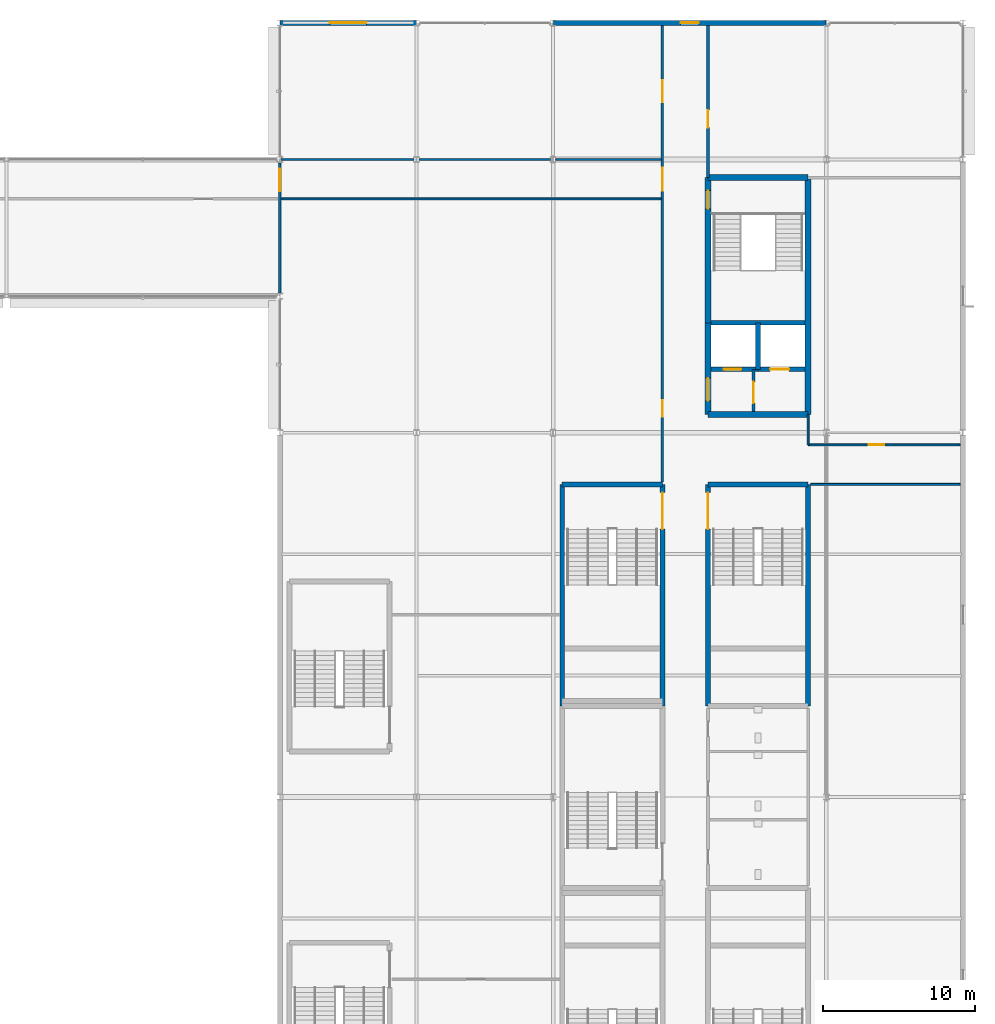
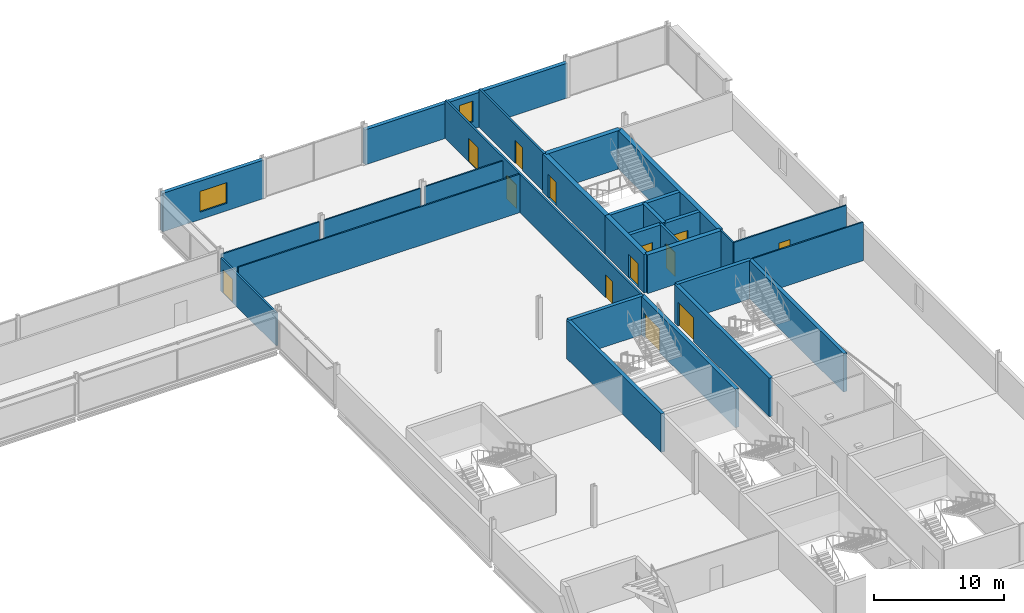
# One storey, part 66 of 98: 28 walls, 13 doors, 2 windows, 15 openings.
"""IFC4 building model written with IfcOpenShell, lengths in metres."""

import ifcopenshell
import ifcopenshell.guid

model = None  # the IFC model being written
_history = None  # IfcOwnerHistory: only IFC2X3 demands one
_inside = {}  # id of a spatial element -> (the spatial element, [elements in it])
_under = {}  # id of a project, library or spatial element -> (it, [spatial elements below it])
_declared = {}  # id of a project -> (the project, [libraries it declares])
_typed = {}  # id of a type object -> (the type object, [elements of that type])
_made_of = {}  # id of a material, layer set ... -> (it, [elements and type objects made of it])


def new_model(schema):
    """Start an empty IFC model of exactly this schema.

    Asked for "IFC4X3", IfcOpenShell would pick the latest addendum, in which some entities
    have other attributes; the version numbers below select the first issue.
    IFC2X3 requires an IfcOwnerHistory on every rooted entity: one is made here for all.
    """
    global model, _history
    if schema == "IFC4X3":
        model = ifcopenshell.file(schema_version=(4, 3, 0, 0))
    else:
        model = ifcopenshell.file(schema=schema)
    _inside.clear()
    _under.clear()
    _declared.clear()
    _typed.clear()
    _made_of.clear()
    _history = None
    if model.schema == "IFC2X3":
        org = make("IfcOrganization", Name="unknown")
        user = make(
            "IfcPersonAndOrganization",
            ThePerson=make("IfcPerson", FamilyName="unknown"),
            TheOrganization=org,
        )
        app = make(
            "IfcApplication",
            ApplicationDeveloper=org,
            Version="unknown",
            ApplicationFullName="unknown",
            ApplicationIdentifier="unknown",
        )
        _history = make(
            "IfcOwnerHistory",
            OwningUser=user,
            OwningApplication=app,
            ChangeAction="ADDED",
            CreationDate=0,
        )
    return model


def make(cls, **values):
    """One entity of the class cls with the attributes given. An attribute that is None is left unset."""
    return model.create_entity(
        cls, **{name: value for name, value in values.items() if value is not None}
    )


def rooted(cls, **values):
    """An entity with a GlobalId (a new one), such as an element, a storey or a relation."""
    return make(cls, GlobalId=ifcopenshell.guid.new(), OwnerHistory=_history, **values)


def si_unit(unit_type, name, prefix=None):
    """IfcSIUnit, for example si_unit("LENGTHUNIT", "METRE", prefix="MILLI")."""
    return make("IfcSIUnit", UnitType=unit_type, Prefix=prefix, Name=name)


def assignment(units):
    """IfcUnitAssignment: the units of a project."""
    return None if units is None else make("IfcUnitAssignment", Units=units)


def point(xyz):
    """IfcCartesianPoint."""
    return None if xyz is None else make("IfcCartesianPoint", Coordinates=xyz)


def direction(xyz):
    """IfcDirection."""
    return None if xyz is None else make("IfcDirection", DirectionRatios=xyz)


def frame(location, z_axis=None, x_axis=None):
    """IfcAxis2Placement3D, a coordinate frame: its origin and axes. An axis left out is left unset."""
    return make(
        "IfcAxis2Placement3D",
        Location=point(location),
        Axis=direction(z_axis),
        RefDirection=direction(x_axis),
    )


def frame_2d(location, x_axis=None):
    """IfcAxis2Placement2D, a coordinate frame in the plane: its origin and x axis."""
    return make(
        "IfcAxis2Placement2D", Location=point(location), RefDirection=direction(x_axis)
    )


def origin():
    """The frame at (0, 0, 0) with its axes left unset."""
    return frame((0.0, 0.0, 0.0))


def place(relative_to, where):
    """IfcLocalPlacement: puts the frame where relative to a parent placement (None: the world)."""
    return make(
        "IfcLocalPlacement", PlacementRelTo=relative_to, RelativePlacement=where
    )


def context(
    kind, dimensions, precision=None, world=None, true_north=None, identifier=None
):
    """IfcGeometricRepresentationContext, for example the 3D "Model" context."""
    return make(
        "IfcGeometricRepresentationContext",
        ContextIdentifier=identifier,
        ContextType=kind,
        CoordinateSpaceDimension=dimensions,
        Precision=precision,
        WorldCoordinateSystem=world,
        TrueNorth=true_north,
    )


def subcontext(parent, identifier, kind, view, scale=None):
    """IfcGeometricRepresentationSubContext, for example "Body" below "Model"."""
    return make(
        "IfcGeometricRepresentationSubContext",
        ContextIdentifier=identifier,
        ContextType=kind,
        ParentContext=parent,
        TargetScale=scale,
        TargetView=view,
    )


def project(units=None, contexts=None):
    """IfcProject with its units and contexts."""
    return rooted(
        "IfcProject",
        Name="project",
        RepresentationContexts=contexts,
        UnitsInContext=assignment(units),
    )


def spatial(cls, under=None, at=None, **own):
    """A site, building, storey or space (cls), placed at a placement, below another one or the project."""
    s = rooted(cls, ObjectPlacement=at, **own)
    if under is not None:
        _under.setdefault(under.id(), (under, []))[1].append(s)
    return s


def profile(cls, at=None, kind="AREA", **sizes):
    """A parametric profile (cls). Its sizes go by their IFC names, for example OverallWidth=200.0."""
    return make(cls, ProfileType=kind, Position=at, **sizes)


def rectangle(**sizes):
    """IfcRectangleProfileDef."""
    return profile("IfcRectangleProfileDef", **sizes)


def extrude(swept, where, along, depth):
    """IfcExtrudedAreaSolid: the profile swept, set in the frame where, extruded along a direction by depth."""
    return make(
        "IfcExtrudedAreaSolid",
        SweptArea=swept,
        Position=where,
        ExtrudedDirection=direction(along),
        Depth=depth,
    )


def shape(context_of_items, identifier, shape_type, items):
    """IfcShapeRepresentation: the items that make up one representation, for example the "Body"."""
    return make(
        "IfcShapeRepresentation",
        ContextOfItems=context_of_items,
        RepresentationIdentifier=identifier,
        RepresentationType=shape_type,
        Items=items,
    )


def material(Name=None, Category=None):
    """IfcMaterial."""
    return make("IfcMaterial", Name=Name, Category=Category)


def layer(
    of_material, thickness, ventilated=None, Name=None, Category=None, Priority=None
):
    """IfcMaterialLayer: one layer of a wall or slab, of a material (None: an air gap)."""
    return make(
        "IfcMaterialLayer",
        Material=of_material,
        LayerThickness=thickness,
        IsVentilated=ventilated,
        Name=Name,
        Category=Category,
        Priority=Priority,
    )


def layer_set(layers, Name=None):
    """IfcMaterialLayerSet."""
    return make("IfcMaterialLayerSet", MaterialLayers=layers, LayerSetName=Name)


def made_of(thing, what):
    """Note that an element or type object is made of a material, layer set ...; save() writes the relation."""
    if what is not None:
        _made_of.setdefault(what.id(), (what, []))[1].append(thing)
    return thing


def type_object(cls, material=None, **own):
    """A type object (cls), such as IfcWallType, which elements share."""
    return made_of(rooted(cls, **own), material)


def element(
    cls,
    number,
    at=None,
    inside=None,
    cuts=None,
    type_object=None,
    material=None,
    context=None,
    identifier="Body",
    shape_type=None,
    held_by="IfcProductDefinitionShape",
    body=None,
    shapes=None,
    **own,
):
    """One element of the class cls, such as IfcWall. Its Tag is "e" and its number.

    at: its placement. inside: the storey or other place that contains it. cuts: it is an
    opening in that element (IfcRelVoidsElement). A single representation is given by context,
    identifier, shape_type and body (its items); several are given by shapes. held_by: the class
    of the entity that holds the representations. save() writes the other relations.
    """
    e = rooted(cls, Tag="e%d" % number, ObjectPlacement=at, **own)
    if body is not None:
        shapes = [shape(context, identifier, shape_type, body)]
    if shapes is not None:
        e.Representation = make(held_by, Representations=shapes)
    if inside is not None:
        _inside.setdefault(inside.id(), (inside, []))[1].append(e)
    if cuts is not None:
        rooted(
            "IfcRelVoidsElement", RelatingBuildingElement=cuts, RelatedOpeningElement=e
        )
    if type_object is not None:
        _typed.setdefault(type_object.id(), (type_object, []))[1].append(e)
    return made_of(e, material)


def fill(opening, filler):
    """IfcRelFillsElement: the door or window that sits in an opening."""
    return rooted(
        "IfcRelFillsElement",
        RelatingOpeningElement=opening,
        RelatedBuildingElement=filler,
    )


def aggregate(whole, parts):
    """IfcRelAggregates: a whole, such as a stair, and the parts it consists of."""
    return rooted("IfcRelAggregates", RelatingObject=whole, RelatedObjects=parts)


def save(model, path):
    """Write the relations noted so far, then the file.

    IfcRelAggregates (storeys below a building ...), IfcRelContainedInSpatialStructure (elements
    in a storey), IfcRelDefinesByType, IfcRelAssociatesMaterial and IfcRelDeclares: one each for
    every whole, place, type object, material and project.
    """
    for whole, parts in _under.values():
        aggregate(whole, parts)
    for where, things in _inside.values():
        rooted(
            "IfcRelContainedInSpatialStructure",
            RelatedElements=things,
            RelatingStructure=where,
        )
    for kind, things in _typed.values():
        rooted("IfcRelDefinesByType", RelatedObjects=things, RelatingType=kind)
    for what, things in _made_of.values():
        rooted("IfcRelAssociatesMaterial", RelatedObjects=things, RelatingMaterial=what)
    for by, libraries in _declared.values():
        rooted("IfcRelDeclares", RelatingContext=by, RelatedDefinitions=libraries)
    model.write(path)


model = new_model("IFC4")

# Units and contexts
model_context = context("Model", 3, precision=1e-05, world=origin(), true_north=direction((0.0, 1.0)))
body_context = subcontext(model_context, "Body", "Model", "MODEL_VIEW")
ifc_project = project(units=[si_unit("LENGTHUNIT", "METRE"), si_unit("AREAUNIT", "SQUARE_METRE"), si_unit("VOLUMEUNIT", "CUBIC_METRE"), si_unit("PLANEANGLEUNIT", "RADIAN"), si_unit("MASSUNIT", "GRAM", prefix="KILO")], contexts=[model_context])

# Site, building, storey
site_placement = place(None, origin())
site = spatial("IfcSite", under=ifc_project, at=site_placement, CompositionType="ELEMENT")
building_placement = place(site_placement, origin())
building = spatial("IfcBuilding", under=site, at=building_placement, Name="Kisiwana Market Hall", CompositionType="ELEMENT")
storey_placement = place(building_placement, frame((0.0, 0.0, 29.39990234375)))
storey = spatial("IfcBuildingStorey", under=building, at=storey_placement, Name="L06", CompositionType="ELEMENT", Elevation=29.39990234375)

# Wall, opening, door
ifc_material_1 = material(Name="Masonry blockwork", Category="masonry")
ifc_layer_1 = layer(ifc_material_1, 0.199951171875, Name="Plastered fire compartment block wall")
ifc_layer_set_1 = layer_set([ifc_layer_1], Name="WL-COMP-200")
wall_type_1 = type_object("IfcWallType", Name="WL-COMP-200", PredefinedType="PARTITIONING", material=ifc_layer_set_1)
wall_1_placement = place(storey_placement, frame((184.199951171875, 85.39990234375, 0.0), z_axis=(0.0, 0.0, 1.0), x_axis=(0.0, 1.0, 0.0)))
wall_1 = element("IfcWall", 1, at=wall_1_placement, inside=storey, type_object=wall_type_1, Name="Core E1 firefighting lobby wall W-2017", PredefinedType="PARTITIONING", context=body_context, shape_type="SweptSolid", body=[
    extrude(rectangle(XDim=2.780029296875, YDim=0.199951171875, at=frame_2d((1.39013671875, 0.0))), origin(), (0.0, 0.0, 1.0), 3.6201171875),
])
opening_1_placement = place(wall_1_placement, frame((0.550048828125, 0.0, 0.0)))
opening_1 = element("IfcOpeningElement", 2, at=opening_1_placement, cuts=wall_1, Name="Opening DR-L06-012", PredefinedType="OPENING", context=body_context, shape_type="SweptSolid", body=[
    extrude(rectangle(XDim=1.39990234375, YDim=2.25, at=frame_2d((0.699951171875, 1.125))), frame((0.0, 0.11181640625, 0.0), z_axis=(0.0, -1.0, 0.0), x_axis=(1.0, 0.0, 0.0)), (0.0, 0.0, 1.0), 0.223876953125),
])
ifc_material_2 = material(Name="Steel S275", Category="steel")
door_type_1 = type_object("IfcDoorType", Name="DR-FFLOB-FD120-1400", OperationType="DOUBLE_DOOR_SINGLE_SWING", PredefinedType="DOOR", material=ifc_material_2)
door_1_placement = place(opening_1_placement, origin())
door_1 = element("IfcDoor", 3, at=door_1_placement, inside=storey, type_object=door_type_1, Name="Firefighting Lift Lobby E1 Door (L06)", OperationType="DOUBLE_DOOR_SINGLE_SWING", OverallHeight=2.25, OverallWidth=1.39990234375, PredefinedType="DOOR", context=body_context, shape_type="SweptSolid", body=[
    extrude(rectangle(XDim=1.39990234375, YDim=2.25, at=frame_2d((0.699951171875, 1.125))), frame((0.0, 0.02490234375, 0.0), z_axis=(0.0, -1.0, 0.0), x_axis=(1.0, 0.0, 0.0)), (0.0, 0.0, 1.0), 0.050048828125),
])
fill(opening_1, door_1)

# Walls
ifc_material_3 = material(Name="Concrete C40/50", Category="concrete")
ifc_layer_2 = layer(ifc_material_3, 0.320068359375, Name="Reinforced concrete shaft wall")
ifc_layer_set_2 = layer_set([ifc_layer_2], Name="WL-CORE-320")
wall_type_2 = type_object("IfcWallType", Name="WL-CORE-320", PredefinedType="SHEAR", material=ifc_layer_set_2)
wall_2_placement = place(storey_placement, frame((181.39990234375, 91.239990234375, 0.0), z_axis=(0.0, 0.0, 1.0), x_axis=(1.0, 0.0, 0.0)))
element("IfcWall", 4, at=wall_2_placement, inside=storey, type_object=wall_type_2, Name="Core E1 shaft back shear wall W-1922", PredefinedType="SHEAR", context=body_context, shape_type="SweptSolid", body=[
    extrude(rectangle(XDim=6.2001953125, YDim=0.320068359375, at=frame_2d((3.10009765625, 0.0))), origin(), (0.0, 0.0, 1.0), 3.6201171875),
])
wall_3_placement = place(storey_placement, frame((184.5, 88.179931640625, 0.0), z_axis=(0.0, 0.0, 1.0), x_axis=(0.0, 1.0, 0.0)))
element("IfcWall", 5, at=wall_3_placement, inside=storey, type_object=wall_type_2, Name="Core E1 inter-shaft shear wall W-1923", PredefinedType="SHEAR", context=body_context, shape_type="SweptSolid", body=[
    extrude(rectangle(XDim=3.06005859375, YDim=0.320068359375, at=frame_2d((1.530029296875, 0.0))), origin(), (0.0, 0.0, 1.0), 3.6201171875),
])

# Wall, opening, door
wall_4_placement = place(storey_placement, frame((181.39990234375, 88.179931640625, 0.0), z_axis=(0.0, 0.0, 1.0), x_axis=(1.0, 0.0, 0.0)))
wall_4 = element("IfcWall", 6, at=wall_4_placement, inside=storey, type_object=wall_type_2, Name="Core E1 west lift front wall W-1924", PredefinedType="SHEAR", context=body_context, shape_type="SweptSolid", body=[
    extrude(rectangle(XDim=3.10009765625, YDim=0.320068359375, at=frame_2d((1.550048828125, 0.0))), origin(), (0.0, 0.0, 1.0), 3.6201171875),
])
opening_2_placement = place(wall_4_placement, frame((0.85009765625, 0.0, 0.0)))
opening_2 = element("IfcOpeningElement", 7, at=opening_2_placement, cuts=wall_4, Name="Opening LD-L06-007", PredefinedType="OPENING", context=body_context, shape_type="SweptSolid", body=[
    extrude(rectangle(XDim=1.14990234375, YDim=2.199951171875, at=frame_2d((0.574951171875, 1.10009765625))), frame((0.0, 0.171875, 0.0), z_axis=(0.0, -1.0, 0.0), x_axis=(1.0, 0.0, 0.0)), (0.0, 0.0, 1.0), 0.343994140625),
])
ifc_material_4 = material(Name="Steel S275", Category="steel")
door_type_2 = type_object("IfcDoorType", Name="DR-LIFT-PAX-1150", OperationType="DOUBLE_DOOR_SLIDING", PredefinedType="DOOR", material=ifc_material_4)
door_2_placement = place(opening_2_placement, origin())
door_2 = element("IfcDoor", 8, at=door_2_placement, inside=storey, type_object=door_type_2, Name="Lift Landing Door LP-04 (L06)", OperationType="DOUBLE_DOOR_SLIDING", OverallHeight=2.199951171875, OverallWidth=1.14990234375, PredefinedType="DOOR", context=body_context, shape_type="SweptSolid", body=[
    extrude(rectangle(XDim=1.14990234375, YDim=2.199951171875, at=frame_2d((0.574951171875, 1.10009765625))), frame((0.0, 0.02490234375, 0.0), z_axis=(0.0, -1.0, 0.0), x_axis=(1.0, 0.0, 0.0)), (0.0, 0.0, 1.0), 0.050048828125),
])
fill(opening_2, door_2)

wall_5_placement = place(storey_placement, frame((184.5, 88.179931640625, 0.0), z_axis=(0.0, 0.0, 1.0), x_axis=(1.0, 0.0, 0.0)))
wall_5 = element("IfcWall", 9, at=wall_5_placement, inside=storey, type_object=wall_type_2, Name="Core E1 east lift front wall W-1925", PredefinedType="SHEAR", context=body_context, shape_type="SweptSolid", body=[
    extrude(rectangle(XDim=3.10009765625, YDim=0.320068359375, at=frame_2d((1.550048828125, 0.0))), origin(), (0.0, 0.0, 1.0), 3.6201171875),
])
opening_3_placement = place(wall_5_placement, frame((0.800048828125, 0.0, 0.0)))
opening_3 = element("IfcOpeningElement", 10, at=opening_3_placement, cuts=wall_5, Name="Opening LD-L06-008", PredefinedType="OPENING", context=body_context, shape_type="SweptSolid", body=[
    extrude(rectangle(XDim=1.25, YDim=2.25, at=frame_2d((0.625, 1.125))), frame((0.0, 0.171875, 0.0), z_axis=(0.0, -1.0, 0.0), x_axis=(1.0, 0.0, 0.0)), (0.0, 0.0, 1.0), 0.343994140625),
])
ifc_material_5 = material(Name="Steel S275", Category="steel")
door_type_3 = type_object("IfcDoorType", Name="DR-LIFT-FFL-1250", OperationType="DOUBLE_DOOR_SLIDING", PredefinedType="DOOR", material=ifc_material_5)
door_3_placement = place(opening_3_placement, origin())
door_3 = element("IfcDoor", 11, at=door_3_placement, inside=storey, type_object=door_type_3, Name="Lift Landing Door FFL-04 (L06)", OperationType="DOUBLE_DOOR_SLIDING", OverallHeight=2.25, OverallWidth=1.25, PredefinedType="DOOR", context=body_context, shape_type="SweptSolid", body=[
    extrude(rectangle(XDim=1.25, YDim=2.25, at=frame_2d((0.625, 1.125))), frame((0.0, 0.02490234375, 0.0), z_axis=(0.0, -1.0, 0.0), x_axis=(1.0, 0.0, 0.0)), (0.0, 0.0, 1.0), 0.050048828125),
])
fill(opening_3, door_3)

# Wall
wall_6_placement = place(storey_placement, frame((181.199951171875, 80.60009765625, 0.0), z_axis=(0.0, 0.0, 1.0), x_axis=(1.0, 0.0, 0.0)))
element("IfcWall", 12, at=wall_6_placement, inside=storey, type_object=wall_type_2, Name="Core E4 north shear wall W-1942", PredefinedType="SHEAR", context=body_context, shape_type="SweptSolid", body=[
    extrude(rectangle(XDim=6.60009765625, YDim=0.320068359375, at=frame_2d((3.300048828125, 0.0))), origin(), (0.0, 0.0, 1.0), 3.6201171875),
])

# Wall, opening, door
wall_7_placement = place(storey_placement, frame((181.199951171875, 66.0, 0.0), z_axis=(0.0, 0.0, 1.0), x_axis=(0.0, 1.0, 0.0)))
wall_7 = element("IfcWall", 13, at=wall_7_placement, inside=storey, type_object=wall_type_2, Name="Core E4 corridor shear wall W-1943", PredefinedType="SHEAR", context=body_context, shape_type="SweptSolid", body=[
    extrude(rectangle(XDim=14.60009765625, YDim=0.320068359375, at=frame_2d((7.300048828125, 0.0))), origin(), (0.0, 0.0, 1.0), 3.6201171875),
])
opening_4_placement = place(wall_7_placement, frame((11.64990234375, 0.0, 0.0)))
opening_4 = element("IfcOpeningElement", 14, at=opening_4_placement, cuts=wall_7, Name="Opening DR-L06-016", PredefinedType="OPENING", context=body_context, shape_type="SweptSolid", body=[
    extrude(rectangle(XDim=2.39990234375, YDim=2.25, at=frame_2d((1.199951171875, 1.125))), frame((0.0, 0.171875, 0.0), z_axis=(0.0, -1.0, 0.0), x_axis=(1.0, 0.0, 0.0)), (0.0, 0.0, 1.0), 0.343994140625),
])
ifc_material_6 = material(Name="Steel S275", Category="steel")
door_type_4 = type_object("IfcDoorType", Name="DR-STAIR-FD120-2400", OperationType="DOUBLE_DOOR_SINGLE_SWING", PredefinedType="DOOR", material=ifc_material_6)
door_4_placement = place(opening_4_placement, frame((2.39990234375, 0.0, 0.0), z_axis=(0.0, 0.0, 1.0), x_axis=(-1.0, 0.0, 0.0)))
door_4 = element("IfcDoor", 15, at=door_4_placement, inside=storey, type_object=door_type_4, Name="Escape Stair E4 Fire Door (L06)", OperationType="DOUBLE_DOOR_SINGLE_SWING", OverallHeight=2.25, OverallWidth=2.39990234375, PredefinedType="DOOR", context=body_context, shape_type="SweptSolid", body=[
    extrude(rectangle(XDim=2.39990234375, YDim=2.25, at=frame_2d((1.199951171875, 1.125))), frame((0.0, 0.02490234375, 0.0), z_axis=(0.0, -1.0, 0.0), x_axis=(1.0, 0.0, 0.0)), (0.0, 0.0, 1.0), 0.050048828125),
])
fill(opening_4, door_4)

# Walls
wall_8_placement = place(storey_placement, frame((187.800048828125, 66.0, 0.0), z_axis=(0.0, 0.0, 1.0), x_axis=(0.0, 1.0, 0.0)))
element("IfcWall", 16, at=wall_8_placement, inside=storey, type_object=wall_type_2, Name="Core E4 outer shear wall W-1944", PredefinedType="SHEAR", context=body_context, shape_type="SweptSolid", body=[
    extrude(rectangle(XDim=14.60009765625, YDim=0.320068359375, at=frame_2d((7.300048828125, 0.0))), origin(), (0.0, 0.0, 1.0), 3.6201171875),
])
wall_9_placement = place(storey_placement, frame((171.60009765625, 80.60009765625, 0.0), z_axis=(0.0, 0.0, 1.0), x_axis=(1.0, 0.0, 0.0)))
element("IfcWall", 17, at=wall_9_placement, inside=storey, type_object=wall_type_2, Name="Core E8 north shear wall W-1962", PredefinedType="SHEAR", context=body_context, shape_type="SweptSolid", body=[
    extrude(rectangle(XDim=6.599853515625, YDim=0.320068359375, at=frame_2d((3.2998046875, 0.0))), origin(), (0.0, 0.0, 1.0), 3.6201171875),
])
wall_10_placement = place(storey_placement, frame((171.60009765625, 66.0, 0.0), z_axis=(0.0, 0.0, 1.0), x_axis=(0.0, 1.0, 0.0)))
element("IfcWall", 18, at=wall_10_placement, inside=storey, type_object=wall_type_2, Name="Core E8 outer shear wall W-1963", PredefinedType="SHEAR", context=body_context, shape_type="SweptSolid", body=[
    extrude(rectangle(XDim=14.60009765625, YDim=0.320068359375, at=frame_2d((7.300048828125, 0.0))), origin(), (0.0, 0.0, 1.0), 3.6201171875),
])

# Wall, opening, door
wall_11_placement = place(storey_placement, frame((178.199951171875, 66.0, 0.0), z_axis=(0.0, 0.0, 1.0), x_axis=(0.0, 1.0, 0.0)))
wall_11 = element("IfcWall", 19, at=wall_11_placement, inside=storey, type_object=wall_type_2, Name="Core E8 corridor shear wall W-1964", PredefinedType="SHEAR", context=body_context, shape_type="SweptSolid", body=[
    extrude(rectangle(XDim=14.60009765625, YDim=0.320068359375, at=frame_2d((7.300048828125, 0.0))), origin(), (0.0, 0.0, 1.0), 3.6201171875),
])
opening_5_placement = place(wall_11_placement, frame((11.64990234375, 0.0, 0.0)))
opening_5 = element("IfcOpeningElement", 20, at=opening_5_placement, cuts=wall_11, Name="Opening DR-L06-020", PredefinedType="OPENING", context=body_context, shape_type="SweptSolid", body=[
    extrude(rectangle(XDim=2.39990234375, YDim=2.25, at=frame_2d((1.199951171875, 1.125))), frame((0.0, 0.171875, 0.0), z_axis=(0.0, -1.0, 0.0), x_axis=(1.0, 0.0, 0.0)), (0.0, 0.0, 1.0), 0.343994140625),
])
door_5_placement = place(opening_5_placement, origin())
door_5 = element("IfcDoor", 21, at=door_5_placement, inside=storey, type_object=door_type_4, Name="Escape Stair E8 Fire Door (L06)", OperationType="DOUBLE_DOOR_SINGLE_SWING", OverallHeight=2.25, OverallWidth=2.39990234375, PredefinedType="DOOR", context=body_context, shape_type="SweptSolid", body=[
    extrude(rectangle(XDim=2.39990234375, YDim=2.25, at=frame_2d((1.199951171875, 1.125))), frame((0.0, 0.02490234375, 0.0), z_axis=(0.0, -1.0, 0.0), x_axis=(1.0, 0.0, 0.0)), (0.0, 0.0, 1.0), 0.050048828125),
])
fill(opening_5, door_5)

# Walls
ifc_material_7 = material(Name="Concrete C40/50", Category="concrete")
ifc_layer_3 = layer(ifc_material_7, 0.39990234375, Name="Reinforced concrete core wall")
ifc_layer_set_3 = layer_set([ifc_layer_3], Name="WL-CORE-400")
wall_type_3 = type_object("IfcWallType", Name="WL-CORE-400", PredefinedType="SHEAR", material=ifc_layer_set_3)
for number, where, z_axis, x_axis, name in (
    (22, (181.199951171875, 85.199951171875, 0.0), (0.0, 0.0, 1.0), (1.0, 0.0, 0.0), "Core E1 south shear wall W-1917"),
    (23, (181.199951171875, 100.800048828125, 0.0), (0.0, 0.0, 1.0), (1.0, 0.0, 0.0), "Core E1 north shear wall W-1918"),
):
    element("IfcWall", number, at=place(storey_placement, frame(where, z_axis=z_axis, x_axis=x_axis)), inside=storey, type_object=wall_type_3, Name=name, PredefinedType="SHEAR", context=body_context, shape_type="SweptSolid", body=[
        extrude(rectangle(XDim=6.60009765625, YDim=0.39990234375, at=frame_2d((3.300048828125, 0.0))), origin(), (0.0, 0.0, 1.0), 3.6201171875),
    ])
wall_12_placement = place(storey_placement, frame((187.800048828125, 85.199951171875, 0.0), z_axis=(0.0, 0.0, 1.0), x_axis=(0.0, 1.0, 0.0)))
element("IfcWall", 24, at=wall_12_placement, inside=storey, type_object=wall_type_3, Name="Core E1 outer shear wall W-1919", PredefinedType="SHEAR", context=body_context, shape_type="SweptSolid", body=[
    extrude(rectangle(XDim=15.60009765625, YDim=0.39990234375, at=frame_2d((7.800048828125, 0.0))), origin(), (0.0, 0.0, 1.0), 3.6201171875),
])

# Wall, opening, door
wall_13_placement = place(storey_placement, frame((181.199951171875, 85.199951171875, 0.0), z_axis=(0.0, 0.0, 1.0), x_axis=(0.0, 1.0, 0.0)))
wall_13 = element("IfcWall", 25, at=wall_13_placement, inside=storey, type_object=wall_type_3, Name="Core E1 lobby corridor shear wall W-1920", PredefinedType="SHEAR", context=body_context, shape_type="SweptSolid", body=[
    extrude(rectangle(XDim=6.0400390625, YDim=0.39990234375, at=frame_2d((3.02001953125, 0.0))), origin(), (0.0, 0.0, 1.0), 3.6201171875),
])
opening_6_placement = place(wall_13_placement, frame((0.89990234375, 0.0, 0.0)))
opening_6 = element("IfcOpeningElement", 26, at=opening_6_placement, cuts=wall_13, Name="Opening DR-L06-010", PredefinedType="OPENING", context=body_context, shape_type="SweptSolid", body=[
    extrude(rectangle(XDim=1.5, YDim=2.199951171875, at=frame_2d((0.75, 1.10009765625))), frame((0.0, 0.2119140625, 0.0), z_axis=(0.0, -1.0, 0.0), x_axis=(1.0, 0.0, 0.0)), (0.0, 0.0, 1.0), 0.423828125),
])
ifc_material_8 = material(Name="Steel S275", Category="steel")
door_type_5 = type_object("IfcDoorType", Name="DR-CORR-FD60-1500", OperationType="DOUBLE_DOOR_SINGLE_SWING", PredefinedType="DOOR", material=ifc_material_8)
door_6_placement = place(opening_6_placement, origin())
door_6 = element("IfcDoor", 27, at=door_6_placement, inside=storey, type_object=door_type_5, Name="Passenger Lift Lobby E1 Smoke Door (L06)", OperationType="DOUBLE_DOOR_SINGLE_SWING", OverallHeight=2.199951171875, OverallWidth=1.5, PredefinedType="DOOR", context=body_context, shape_type="SweptSolid", body=[
    extrude(rectangle(XDim=1.5, YDim=2.199951171875, at=frame_2d((0.75, 1.10009765625))), frame((0.0, 0.02490234375, 0.0), z_axis=(0.0, -1.0, 0.0), x_axis=(1.0, 0.0, 0.0)), (0.0, 0.0, 1.0), 0.050048828125),
])
fill(opening_6, door_6)

wall_14_placement = place(storey_placement, frame((181.199951171875, 91.239990234375, 0.0), z_axis=(0.0, 0.0, 1.0), x_axis=(0.0, 1.0, 0.0)))
wall_14 = element("IfcWall", 28, at=wall_14_placement, inside=storey, type_object=wall_type_3, Name="Core E1 stair corridor shear wall W-1921", PredefinedType="SHEAR", context=body_context, shape_type="SweptSolid", body=[
    extrude(rectangle(XDim=9.56005859375, YDim=0.39990234375, at=frame_2d((4.780029296875, 0.0))), origin(), (0.0, 0.0, 1.0), 3.6201171875),
])
opening_7_placement = place(wall_14_placement, frame((7.510009765625, 0.0, 0.0)))
opening_7 = element("IfcOpeningElement", 29, at=opening_7_placement, cuts=wall_14, Name="Opening DR-L06-011", PredefinedType="OPENING", context=body_context, shape_type="SweptSolid", body=[
    extrude(rectangle(XDim=1.199951171875, YDim=2.199951171875, at=frame_2d((0.60009765625, 1.10009765625))), frame((0.0, 0.2119140625, 0.0), z_axis=(0.0, -1.0, 0.0), x_axis=(1.0, 0.0, 0.0)), (0.0, 0.0, 1.0), 0.423828125),
])
ifc_material_9 = material(Name="Steel S275", Category="steel")
door_type_6 = type_object("IfcDoorType", Name="DR-STAIR-FD120-1200", OperationType="NOTDEFINED", PredefinedType="DOOR", material=ifc_material_9)
door_7_placement = place(opening_7_placement, frame((1.199951171875, 0.0, 0.0), z_axis=(0.0, 0.0, 1.0), x_axis=(-1.0, 0.0, 0.0)))
door_7 = element("IfcDoor", 30, at=door_7_placement, inside=storey, type_object=door_type_6, Name="Escape Stair E1 Fire Door (L06)", OperationType="SINGLE_SWING_LEFT", OverallHeight=2.199951171875, OverallWidth=1.199951171875, PredefinedType="DOOR", context=body_context, shape_type="SweptSolid", body=[
    extrude(rectangle(XDim=1.199951171875, YDim=2.199951171875, at=frame_2d((0.60009765625, 1.10009765625))), frame((0.0, 0.02490234375, 0.0), z_axis=(0.0, -1.0, 0.0), x_axis=(1.0, 0.0, 0.0)), (0.0, 0.0, 1.0), 0.050048828125),
])
fill(opening_7, door_7)

ifc_material_10 = material(Name="Masonry blockwork", Category="masonry")
ifc_layer_4 = layer(ifc_material_10, 0.169921875, Name="Protected corridor partition")
ifc_layer_set_4 = layer_set([ifc_layer_4], Name="WL-CORR-170")
wall_type_4 = type_object("IfcWallType", Name="WL-CORR-170", PredefinedType="PARTITIONING", material=ifc_layer_set_4)
wall_15_placement = place(storey_placement, frame((181.199951171875, 100.800048828125, 0.0), z_axis=(0.0, 0.0, 1.0), x_axis=(0.0, 1.0, 0.0)))
wall_15 = element("IfcWall", 31, at=wall_15_placement, inside=storey, type_object=wall_type_4, Name="Interior partition W-2059", PredefinedType="PARTITIONING", context=body_context, shape_type="SweptSolid", body=[
    extrude(rectangle(XDim=10.017333984375, YDim=0.169921875, at=frame_2d((5.0087890625, 0.0))), origin(), (0.0, 0.0, 1.0), 3.6201171875),
])
opening_8_placement = place(wall_15_placement, frame((3.300048828125, 0.0, 0.0)))
opening_8 = element("IfcOpeningElement", 32, at=opening_8_placement, cuts=wall_15, Name="Opening DR-L06-053", PredefinedType="OPENING", context=body_context, shape_type="SweptSolid", body=[
    extrude(rectangle(XDim=1.14990234375, YDim=2.14990234375, at=frame_2d((0.574951171875, 1.074951171875))), frame((0.0, 0.096923828125, 0.0), z_axis=(0.0, -1.0, 0.0), x_axis=(1.0, 0.0, 0.0)), (0.0, 0.0, 1.0), 0.19384765625),
])
ifc_material_11 = material(Name="Aluminium alloy 6063-T6", Category="aluminium")
door_type_7 = type_object("IfcDoorType", Name="DR-MEET-1150", OperationType="NOTDEFINED", PredefinedType="DOOR", material=ifc_material_11)
door_8_placement = place(opening_8_placement, frame((1.14990234375, 0.0, 0.0), z_axis=(0.0, 0.0, 1.0), x_axis=(-1.0, 0.0, 0.0)))
door_8 = element("IfcDoor", 33, at=door_8_placement, inside=storey, type_object=door_type_7, Name="L06 E Corner Office Suite North Door", OperationType="SINGLE_SWING_RIGHT", OverallHeight=2.14990234375, OverallWidth=1.14990234375, PredefinedType="DOOR", context=body_context, shape_type="SweptSolid", body=[
    extrude(rectangle(XDim=1.14990234375, YDim=2.14990234375, at=frame_2d((0.574951171875, 1.074951171875))), frame((0.0, 0.02490234375, 0.0), z_axis=(0.0, -1.0, 0.0), x_axis=(1.0, 0.0, 0.0)), (0.0, 0.0, 1.0), 0.050048828125),
])
fill(opening_8, door_8)

# Wall, openings, doors
wall_16_placement = place(storey_placement, frame((178.199951171875, 80.760009765625, 0.0), z_axis=(0.0, 0.0, 1.0), x_axis=(0.0, 1.0, 0.0)))
wall_16 = element("IfcWall", 34, at=wall_16_placement, inside=storey, type_object=wall_type_4, Name="Interior partition W-2071", PredefinedType="PARTITIONING", context=body_context, shape_type="SweptSolid", body=[
    extrude(rectangle(XDim=30.057373046875, YDim=0.169921875, at=frame_2d((15.02880859375, 0.0))), origin(), (0.0, 0.0, 1.0), 3.6201171875),
])
opening_9_placement = place(wall_16_placement, frame((4.300048828125, 0.0, 0.0)))
opening_9 = element("IfcOpeningElement", 35, at=opening_9_placement, cuts=wall_16, Name="Opening DR-L06-060", PredefinedType="OPENING", context=body_context, shape_type="SweptSolid", body=[
    extrude(rectangle(XDim=1.080078125, YDim=2.14990234375, at=frame_2d((0.5400390625, 1.074951171875))), frame((0.0, 0.096923828125, 0.0), z_axis=(0.0, -1.0, 0.0), x_axis=(1.0, 0.0, 0.0)), (0.0, 0.0, 1.0), 0.19384765625),
])
opening_10_placement = place(wall_16_placement, frame((19.18994140625, 0.0, 0.0)))
opening_10 = element("IfcOpeningElement", 36, at=opening_10_placement, cuts=wall_16, Name="Opening DR-L06-061", PredefinedType="OPENING", context=body_context, shape_type="SweptSolid", body=[
    extrude(rectangle(XDim=1.5, YDim=2.199951171875, at=frame_2d((0.75, 1.10009765625))), frame((0.0, 0.096923828125, 0.0), z_axis=(0.0, -1.0, 0.0), x_axis=(1.0, 0.0, 0.0)), (0.0, 0.0, 1.0), 0.19384765625),
])
opening_11_placement = place(wall_16_placement, frame((25.01611328125, 0.0, 0.0)))
opening_11 = element("IfcOpeningElement", 37, at=opening_11_placement, cuts=wall_16, Name="Opening DR-L06-062", PredefinedType="OPENING", context=body_context, shape_type="SweptSolid", body=[
    extrude(rectangle(XDim=1.449951171875, YDim=2.199951171875, at=frame_2d((0.72509765625, 1.10009765625))), frame((0.0, 0.096923828125, 0.0), z_axis=(0.0, -1.0, 0.0), x_axis=(1.0, 0.0, 0.0)), (0.0, 0.0, 1.0), 0.19384765625),
])
door_9_placement = place(opening_10_placement, origin())
door_9 = element("IfcDoor", 38, at=door_9_placement, inside=storey, type_object=door_type_5, Name="L06 E North Skybridge Link Corridor Door", OperationType="DOUBLE_DOOR_SINGLE_SWING", OverallHeight=2.199951171875, OverallWidth=1.5, PredefinedType="DOOR", context=body_context, shape_type="SweptSolid", body=[
    extrude(rectangle(XDim=1.5, YDim=2.199951171875, at=frame_2d((0.75, 1.10009765625))), frame((0.0, 0.02490234375, 0.0), z_axis=(0.0, -1.0, 0.0), x_axis=(1.0, 0.0, 0.0)), (0.0, 0.0, 1.0), 0.050048828125),
])
fill(opening_10, door_9)
ifc_material_12 = material(Name="Hardwood timber", Category="wood")
door_type_8 = type_object("IfcDoorType", Name="DR-MEET-1450", OperationType="DOUBLE_DOOR_SINGLE_SWING", PredefinedType="DOOR", material=ifc_material_12)
door_10_placement = place(opening_11_placement, origin())
door_10 = element("IfcDoor", 39, at=door_10_placement, inside=storey, type_object=door_type_8, Name="L06 E Executive Corner Office A5 Door", OperationType="DOUBLE_DOOR_SINGLE_SWING", OverallHeight=2.199951171875, OverallWidth=1.449951171875, PredefinedType="DOOR", context=body_context, shape_type="SweptSolid", body=[
    extrude(rectangle(XDim=1.449951171875, YDim=2.199951171875, at=frame_2d((0.72509765625, 1.10009765625))), frame((0.0, 0.02490234375, 0.0), z_axis=(0.0, -1.0, 0.0), x_axis=(1.0, 0.0, 0.0)), (0.0, 0.0, 1.0), 0.050048828125),
])
fill(opening_11, door_10)
ifc_material_13 = material(Name="Hardwood timber", Category="wood")
door_type_9 = type_object("IfcDoorType", Name="DR-OFF-1080", OperationType="NOTDEFINED", PredefinedType="DOOR", material=ifc_material_13)
door_11_placement = place(opening_9_placement, origin())
door_11 = element("IfcDoor", 40, at=door_11_placement, inside=storey, type_object=door_type_9, Name="L06 E Project Studio A4 Door", OperationType="SINGLE_SWING_LEFT", OverallHeight=2.14990234375, OverallWidth=1.080078125, PredefinedType="DOOR", context=body_context, shape_type="SweptSolid", body=[
    extrude(rectangle(XDim=1.080078125, YDim=2.14990234375, at=frame_2d((0.5400390625, 1.074951171875))), frame((0.0, 0.02490234375, 0.0), z_axis=(0.0, -1.0, 0.0), x_axis=(1.0, 0.0, 0.0)), (0.0, 0.0, 1.0), 0.050048828125),
])
fill(opening_9, door_11)

# Wall, opening, door
wall_17_placement = place(storey_placement, frame((153.0, 93.219970703125, 0.0), z_axis=(0.0, 0.0, 1.0), x_axis=(0.0, 1.0, 0.0)))
wall_17 = element("IfcWall", 41, at=wall_17_placement, inside=storey, type_object=wall_type_4, Name="Interior partition W-2073", PredefinedType="PARTITIONING", context=body_context, shape_type="SweptSolid", body=[
    extrude(rectangle(XDim=8.56005859375, YDim=0.169921875, at=frame_2d((4.280029296875, 0.0))), origin(), (0.0, 0.0, 1.0), 3.0869140625),
])
opening_12_placement = place(wall_17_placement, frame((6.679931640625, 0.0, 0.0)))
opening_12 = element("IfcOpeningElement", 42, at=opening_12_placement, cuts=wall_17, Name="Opening DR-L06-064", PredefinedType="OPENING", context=body_context, shape_type="SweptSolid", body=[
    extrude(rectangle(XDim=1.5, YDim=2.199951171875, at=frame_2d((0.75, 1.10009765625))), frame((0.0, 0.096923828125, 0.0), z_axis=(0.0, -1.0, 0.0), x_axis=(1.0, 0.0, 0.0)), (0.0, 0.0, 1.0), 0.19384765625),
])
door_12_placement = place(opening_12_placement, origin())
door_12 = element("IfcDoor", 43, at=door_12_placement, inside=storey, type_object=door_type_5, Name="L06 E North Skybridge Spine Door", OperationType="DOUBLE_DOOR_SINGLE_SWING", OverallHeight=2.199951171875, OverallWidth=1.5, PredefinedType="DOOR", context=body_context, shape_type="SweptSolid", body=[
    extrude(rectangle(XDim=1.5, YDim=2.199951171875, at=frame_2d((0.75, 1.10009765625))), frame((0.0, 0.02490234375, 0.0), z_axis=(0.0, -1.0, 0.0), x_axis=(1.0, 0.0, 0.0)), (0.0, 0.0, 1.0), 0.050048828125),
])
fill(opening_12, door_12)

# Wall, opening, window
ifc_material_14 = material(Name="Concrete C40/50 precast", Category="concrete")
ifc_layer_5 = layer(ifc_material_14, 0.14990234375, Name="Precast architectural concrete spandrel")
ifc_material_15 = material(Name="Mineral wool insulation")
ifc_layer_6 = layer(ifc_material_15, 0.090087890625, Name="Rockwool thermal insulation")
ifc_material_16 = material(Name="Masonry blockwork", Category="masonry")
ifc_layer_7 = layer(ifc_material_16, 0.10009765625, Name="Inner masonry block leaf")
ifc_layer_set_5 = layer_set([ifc_layer_5, ifc_layer_6, ifc_layer_7], Name="WL-EXT-PREC-340")
wall_type_5 = type_object("IfcWallType", Name="WL-EXT-PREC-340", PredefinedType="STANDARD", material=ifc_layer_set_5)
wall_18_placement = place(storey_placement, frame((153.010009765625, 111.0, 0.0), z_axis=(0.0, 0.0, 1.0), x_axis=(1.0, 0.0, 0.0)))
wall_18 = element("IfcWall", 44, at=wall_18_placement, inside=storey, type_object=wall_type_5, Name="Exterior wall W-1998", PredefinedType="STANDARD", context=body_context, shape_type="SweptSolid", body=[
    extrude(rectangle(XDim=8.97998046875, YDim=0.340087890625, at=frame_2d((4.489990234375, 0.0))), origin(), (0.0, 0.0, 1.0), 3.6201171875),
])
opening_13_placement = place(wall_18_placement, frame((3.2900390625, 0.0, 0.699951171875)))
opening_13 = element("IfcOpeningElement", 45, at=opening_13_placement, cuts=wall_18, Name="Opening WN-27", PredefinedType="OPENING", context=body_context, shape_type="SweptSolid", body=[
    extrude(rectangle(XDim=2.39990234375, YDim=1.949951171875, at=frame_2d((1.199951171875, 0.97509765625))), frame((0.0, 0.18212890625, 0.0), z_axis=(0.0, -1.0, 0.0), x_axis=(1.0, 0.0, 0.0)), (0.0, 0.0, 1.0), 0.364013671875),
])
ifc_material_17 = material(Name="Double-glazed solar-control low-E IGU", Category="glass")
window_type_1 = type_object("IfcWindowType", Name="WN-OFFA-2400x1950", PartitioningType="SINGLE_PANEL", PredefinedType="WINDOW", material=ifc_material_17)
window_1_placement = place(opening_13_placement, origin())
window_1 = element("IfcWindow", 46, at=window_1_placement, inside=storey, type_object=window_type_1, Name="Exterior window WN-204", OverallHeight=1.949951171875, OverallWidth=2.39990234375, PartitioningType="SINGLE_PANEL", PredefinedType="WINDOW", context=body_context, shape_type="SweptSolid", body=[
    extrude(rectangle(XDim=2.39990234375, YDim=1.949951171875, at=frame_2d((1.199951171875, 0.97509765625))), frame((0.0, 0.030029296875, 0.0), z_axis=(0.0, -1.0, 0.0), x_axis=(1.0, 0.0, 0.0)), (0.0, 0.0, 1.0), 0.06005859375),
])
fill(opening_13, window_1)

wall_19_placement = place(storey_placement, frame((171.010009765625, 111.0, 0.0), z_axis=(0.0, 0.0, 1.0), x_axis=(1.0, 0.0, 0.0)))
wall_19 = element("IfcWall", 47, at=wall_19_placement, inside=storey, type_object=wall_type_5, Name="Exterior wall W-1999", PredefinedType="STANDARD", context=body_context, shape_type="SweptSolid", body=[
    extrude(rectangle(XDim=17.97998046875, YDim=0.340087890625, at=frame_2d((8.989990234375, 0.0))), origin(), (0.0, 0.0, 1.0), 3.2802734375),
])
opening_14_placement = place(wall_19_placement, frame((8.389892578125, 0.0, 0.699951171875)))
opening_14 = element("IfcOpeningElement", 48, at=opening_14_placement, cuts=wall_19, Name="Opening WN-15", PredefinedType="OPENING", context=body_context, shape_type="SweptSolid", body=[
    extrude(rectangle(XDim=1.199951171875, YDim=1.949951171875, at=frame_2d((0.60009765625, 0.97509765625))), frame((0.0, 0.18212890625, 0.0), z_axis=(0.0, -1.0, 0.0), x_axis=(1.0, 0.0, 0.0)), (0.0, 0.0, 1.0), 0.364013671875),
])
ifc_material_18 = material(Name="Double-glazed solar-control low-E IGU", Category="glass")
window_type_2 = type_object("IfcWindowType", Name="WN-OFFA-1200x1950", PartitioningType="SINGLE_PANEL", PredefinedType="WINDOW", material=ifc_material_18)
window_2_placement = place(opening_14_placement, origin())
window_2 = element("IfcWindow", 49, at=window_2_placement, inside=storey, type_object=window_type_2, Name="Exterior window WN-190", OverallHeight=1.949951171875, OverallWidth=1.199951171875, PartitioningType="SINGLE_PANEL", PredefinedType="WINDOW", context=body_context, shape_type="SweptSolid", body=[
    extrude(rectangle(XDim=1.199951171875, YDim=1.949951171875, at=frame_2d((0.60009765625, 0.97509765625))), frame((0.0, 0.030029296875, 0.0), z_axis=(0.0, -1.0, 0.0), x_axis=(1.0, 0.0, 0.0)), (0.0, 0.0, 1.0), 0.06005859375),
])
fill(opening_14, window_2)

# Walls
ifc_material_19 = material(Name="Gypsum plasterboard")
ifc_layer_8 = layer(ifc_material_19, 0.125, Name="Double gypsum board + acoustic stud")
ifc_layer_set_6 = layer_set([ifc_layer_8], Name="WL-OFF-125")
wall_type_6 = type_object("IfcWallType", Name="WL-OFF-125", PredefinedType="PARTITIONING", material=ifc_layer_set_6)
wall_20_placement = place(storey_placement, frame((187.800048828125, 83.199951171875, 0.0), z_axis=(0.0, 0.0, 1.0), x_axis=(0.0, 1.0, 0.0)))
element("IfcWall", 50, at=wall_20_placement, inside=storey, type_object=wall_type_6, Name="Interior partition W-2051", PredefinedType="PARTITIONING", context=body_context, shape_type="SweptSolid", body=[
    extrude(rectangle(XDim=2.0, YDim=0.125, at=frame_2d((1.0, 0.0))), origin(), (0.0, 0.0, 1.0), 3.6201171875),
])
wall_21_placement = place(storey_placement, frame((187.9599609375, 80.60009765625, 0.0), z_axis=(0.0, 0.0, 1.0), x_axis=(1.0, 0.0, 0.0)))
element("IfcWall", 51, at=wall_21_placement, inside=storey, type_object=wall_type_6, Name="Interior partition W-2056", PredefinedType="PARTITIONING", context=body_context, shape_type="SweptSolid", body=[
    extrude(rectangle(XDim=9.857421875, YDim=0.125, at=frame_2d((4.9287109375, 0.0))), origin(), (0.0, 0.0, 1.0), 3.6201171875),
])

# Wall, opening, door
wall_22_placement = place(storey_placement, frame((187.800048828125, 83.199951171875, 0.0), z_axis=(0.0, 0.0, 1.0), x_axis=(1.0, 0.0, 0.0)))
wall_22 = element("IfcWall", 52, at=wall_22_placement, inside=storey, type_object=wall_type_6, Name="Interior partition W-2057", PredefinedType="PARTITIONING", context=body_context, shape_type="SweptSolid", body=[
    extrude(rectangle(XDim=10.017333984375, YDim=0.125, at=frame_2d((5.0087890625, 0.0))), origin(), (0.0, 0.0, 1.0), 3.6201171875),
])
opening_15_placement = place(wall_22_placement, frame((4.0, 0.0, 0.0)))
opening_15 = element("IfcOpeningElement", 53, at=opening_15_placement, cuts=wall_22, Name="Opening DR-L06-051", PredefinedType="OPENING", context=body_context, shape_type="SweptSolid", body=[
    extrude(rectangle(XDim=1.0, YDim=2.14990234375, at=frame_2d((0.5, 1.074951171875))), frame((0.0, 0.074462890625, 0.0), z_axis=(0.0, -1.0, 0.0), x_axis=(1.0, 0.0, 0.0)), (0.0, 0.0, 1.0), 0.14892578125),
])
ifc_material_20 = material(Name="Aluminium alloy 6063-T6", Category="aluminium")
door_type_10 = type_object("IfcDoorType", Name="DR-OFF-1000", OperationType="NOTDEFINED", PredefinedType="DOOR", material=ifc_material_20)
door_13_placement = place(opening_15_placement, origin())
door_13 = element("IfcDoor", 54, at=door_13_placement, inside=storey, type_object=door_type_10, Name="L06 E Commercial Office North Door", OperationType="SINGLE_SWING_LEFT", OverallHeight=2.14990234375, OverallWidth=1.0, PredefinedType="DOOR", context=body_context, shape_type="SweptSolid", body=[
    extrude(rectangle(XDim=1.0, YDim=2.14990234375, at=frame_2d((0.5, 1.074951171875))), frame((0.0, 0.02490234375, 0.0), z_axis=(0.0, -1.0, 0.0), x_axis=(1.0, 0.0, 0.0)), (0.0, 0.0, 1.0), 0.050048828125),
])
fill(opening_15, door_13)

# Walls
wall_23_placement = place(storey_placement, frame((153.0849609375, 99.39990234375, 0.0), z_axis=(0.0, 0.0, 1.0), x_axis=(1.0, 0.0, 0.0)))
element("IfcWall", 55, at=wall_23_placement, inside=storey, type_object=wall_type_6, Name="Interior partition W-2066", PredefinedType="PARTITIONING", context=body_context, shape_type="SweptSolid", body=[
    extrude(rectangle(XDim=25.030029296875, YDim=0.125, at=frame_2d((12.51513671875, 0.0))), origin(), (0.0, 0.0, 1.0), 3.6201171875),
])
wall_24_placement = place(storey_placement, frame((153.0849609375, 102.0, 0.0), z_axis=(0.0, 0.0, 1.0), x_axis=(1.0, 0.0, 0.0)))
element("IfcWall", 56, at=wall_24_placement, inside=storey, type_object=wall_type_6, Name="Interior partition W-2067", PredefinedType="PARTITIONING", context=body_context, shape_type="SweptSolid", body=[
    extrude(rectangle(XDim=8.734130859375, YDim=0.125, at=frame_2d((4.3671875, 0.0))), origin(), (0.0, 0.0, 1.0), 3.260009765625),
])
wall_25_placement = place(storey_placement, frame((162.180908203125, 102.0, 0.0), z_axis=(0.0, 0.0, 1.0), x_axis=(1.0, 0.0, 0.0)))
element("IfcWall", 57, at=wall_25_placement, inside=storey, type_object=wall_type_6, Name="Interior partition W-2068", PredefinedType="PARTITIONING", context=body_context, shape_type="SweptSolid", body=[
    extrude(rectangle(XDim=8.6318359375, YDim=0.125, at=frame_2d((4.31591796875, 0.0))), origin(), (0.0, 0.0, 1.0), 3.260009765625),
])
wall_26_placement = place(storey_placement, frame((171.187255859375, 102.0, 0.0), z_axis=(0.0, 0.0, 1.0), x_axis=(1.0, 0.0, 0.0)))
element("IfcWall", 58, at=wall_26_placement, inside=storey, type_object=wall_type_6, Name="Interior partition W-2069", PredefinedType="PARTITIONING", context=body_context, shape_type="SweptSolid", body=[
    extrude(rectangle(XDim=6.927734375, YDim=0.125, at=frame_2d((3.4638671875, 0.0))), origin(), (0.0, 0.0, 1.0), 3.2802734375),
])

save(model, "model.ifc")
